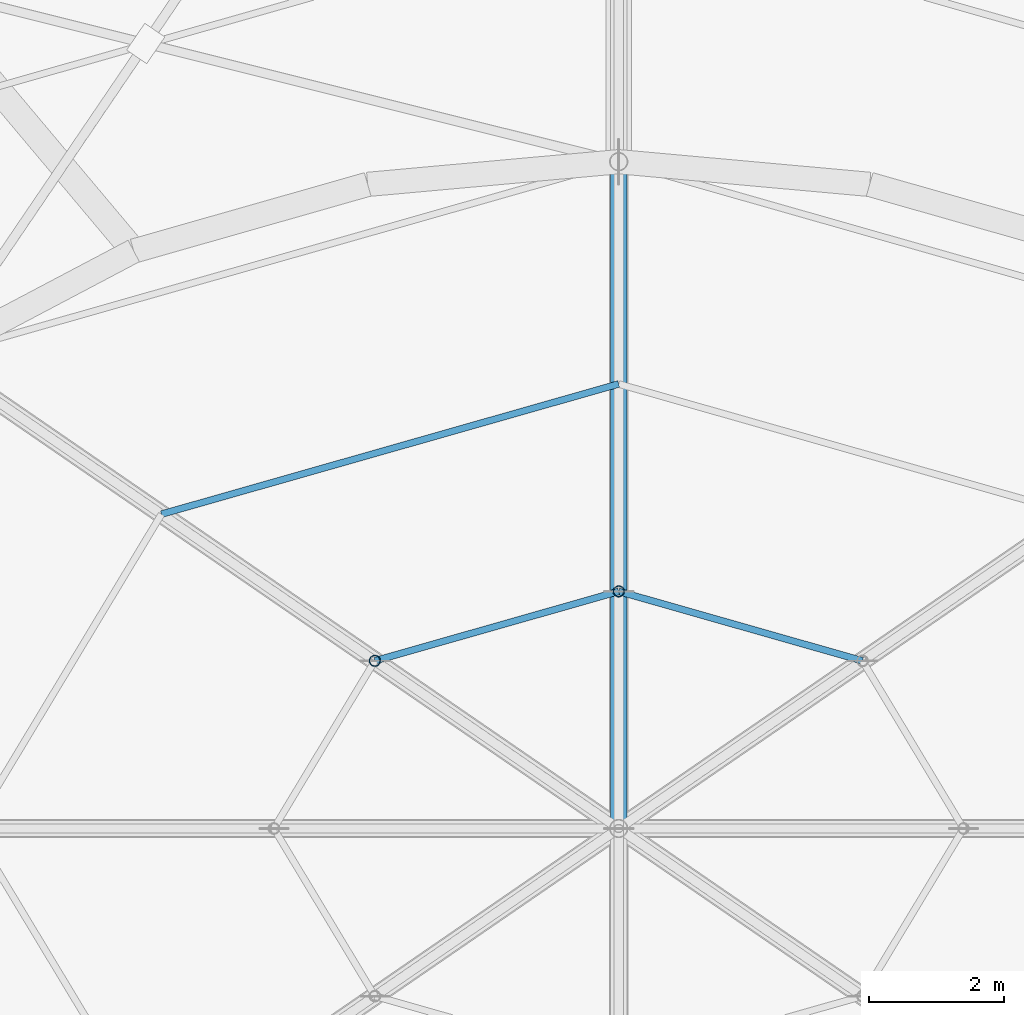
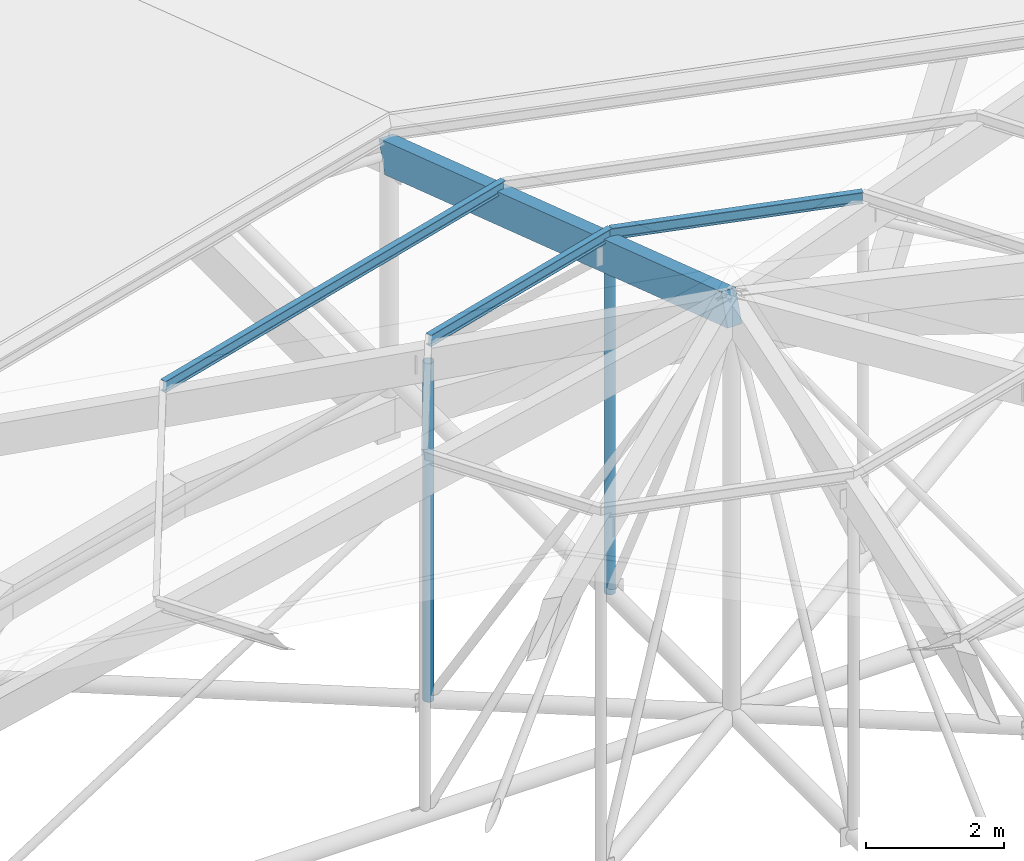
# One storey, part 25 of 66: 6 members.
"""IFC4 building model written with IfcOpenShell, lengths in metres."""

from ifc_helpers import new_model, si_unit, direction, frame, origin, origin_2d, place, context, subcontext, project, spatial, rectangle, hollow_circle, i_section, extrude, material, material_profile, profile_set, type_object, element, save


model = new_model("IFC4")

# Units and contexts
model_context = context("Model", 3, precision=1e-05, world=origin(), true_north=direction((0.0, 1.0)))
body_context = subcontext(model_context, "Body", "Model", "MODEL_VIEW")
ifc_project = project(units=[si_unit("LENGTHUNIT", "METRE"), si_unit("AREAUNIT", "SQUARE_METRE"), si_unit("VOLUMEUNIT", "CUBIC_METRE"), si_unit("PLANEANGLEUNIT", "RADIAN"), si_unit("MASSUNIT", "GRAM", prefix="KILO")], contexts=[model_context])

# Site, building, storey
site_placement = place(None, origin())
site = spatial("IfcSite", under=ifc_project, at=site_placement, CompositionType="ELEMENT")
building_placement = place(site_placement, origin())
building = spatial("IfcBuilding", under=site, at=building_placement, Name="Zornivar Specialist Clinic", CompositionType="ELEMENT")
storey_placement = place(building_placement, frame((0.0, 0.0, 16.0)))
storey = spatial("IfcBuildingStorey", under=building, at=storey_placement, Name="L04", CompositionType="ELEMENT", Elevation=16.0)

# Members
ifc_material_1 = material(Name="Steel S355J2", Category="steel")
ifc_material_profile_1 = material_profile(ifc_material_1, i_section(OverallWidth=0.10009765625, OverallDepth=0.199951171875, WebThickness=0.005615234375, FlangeThickness=0.008544921875, FilletRadius=0.011962890625, at=origin_2d()), Name="IPE 200")
ifc_profile_set_1 = profile_set([ifc_material_profile_1], Name="Steel S355J2")
member_type_1 = type_object("IfcMemberType", Name="MEM-PURLIN-IPE200", PredefinedType="PURLIN", material=ifc_profile_set_1)
member_1_placement = place(storey_placement, frame((97.219970703125, 60.089111328125, 6.69189453125), z_axis=(-0.961751256483, 0.273924297304, 0.0), x_axis=(-0.273924297304, -0.961751256483, 0.0)))
element("IfcMember", 1, at=member_1_placement, inside=storey, type_object=member_type_1, Name="mem:V1:L04:purl:1:06", PredefinedType="PURLIN", context=body_context, shape_type="SweptSolid", body=[
    extrude(i_section(OverallWidth=0.10009765625, OverallDepth=0.199951171875, WebThickness=0.005615234375, FlangeThickness=0.008544921875, FilletRadius=0.011962890625, at=origin_2d()), origin(), (0.0, 0.0, 1.0), 3.763916015625),
])
member_2_placement = place(storey_placement, frame((93.60009765625, 64.199951171875, 5.6669921875), z_axis=(-0.961770266094, -0.273857545557, 0.0), x_axis=(0.273857545557, -0.961770266094, 0.0)))
element("IfcMember", 2, at=member_2_placement, inside=storey, type_object=member_type_1, Name="mem:V1:L04:purl:2:05", PredefinedType="PURLIN", context=body_context, shape_type="SweptSolid", body=[
    extrude(i_section(OverallWidth=0.10009765625, OverallDepth=0.199951171875, WebThickness=0.005615234375, FlangeThickness=0.008544921875, FilletRadius=0.011962890625, at=origin_2d()), origin(), (0.0, 0.0, 1.0), 7.057861328125),
])
member_3_placement = place(storey_placement, frame((93.60009765625, 61.1201171875, 6.69189453125), z_axis=(-0.961756123131, -0.273907209872, 0.0), x_axis=(0.273907209872, -0.961756123131, 0.0)))
element("IfcMember", 3, at=member_3_placement, inside=storey, type_object=member_type_1, Name="mem:V1:L04:purl:2:06", PredefinedType="PURLIN", context=body_context, shape_type="SweptSolid", body=[
    extrude(i_section(OverallWidth=0.10009765625, OverallDepth=0.199951171875, WebThickness=0.005615234375, FlangeThickness=0.008544921875, FilletRadius=0.011962890625, at=origin_2d()), origin(), (0.0, 0.0, 1.0), 3.76416015625),
])
ifc_material_2 = material(Name="Glulam GL28h", Category="wood")
ifc_material_profile_2 = material_profile(ifc_material_2, rectangle(XDim=0.239990234375, YDim=0.56005859375, at=origin_2d()), Name="GL28h 240x560")
ifc_profile_set_2 = profile_set([ifc_material_profile_2], Name="Glulam GL28h")
member_type_2 = type_object("IfcMemberType", Name="MEM-RAFTER-GL560", PredefinedType="RAFTER", material=ifc_profile_set_2)
member_4_placement = place(storey_placement, frame((93.60009765625, 67.5, 4.2041015625), z_axis=(0.0, -0.948828271839, 0.31579251188), x_axis=(1.0, 0.0, 0.0)))
element("IfcMember", 4, at=member_4_placement, inside=storey, type_object=member_type_2, Name="mem:V1:L04:raf2:2", PredefinedType="RAFTER", context=body_context, shape_type="SweptSolid", body=[
    extrude(rectangle(XDim=0.239990234375, YDim=0.56005859375, at=origin_2d()), origin(), (0.0, 0.0, 1.0), 10.433837890625),
])
ifc_material_3 = material(Name="Steel S355J2", Category="steel")
ifc_material_profile_3 = material_profile(ifc_material_3, hollow_circle(Radius=0.084228515625, WallThickness=0.010009765625, at=origin_2d()), Name="CHS 168.3x10")
ifc_profile_set_3 = profile_set([ifc_material_profile_3], Name="Steel S355J2")
member_type_3 = type_object("IfcMemberType", Name="MEM-STRUT-CHS168", PredefinedType="STRUT", material=ifc_profile_set_3)
for number, where, z_axis, x_axis, name in (
    (5, (93.60009765625, 61.1201171875, 0.360107421875), (0.0, 0.0, 1.0), (1.0, 0.0, 0.0), "mem:V1:L04:vert2:2"),
    (6, (89.97998046875, 60.089111328125, 0.360107421875), (0.0, 0.0, 1.0), (1.0, 0.0, 0.0), "mem:V1:L04:vert2:3"),
):
    element("IfcMember", number, at=place(storey_placement, frame(where, z_axis=z_axis, x_axis=x_axis)), inside=storey, type_object=member_type_3, Name=name, PredefinedType="STRUT", context=body_context, shape_type="SweptSolid", body=[
        extrude(hollow_circle(Radius=0.084228515625, WallThickness=0.010009765625, at=origin_2d()), origin(), (0.0, 0.0, 1.0), 5.966796875),
    ])

save(model, "model.ifc")
